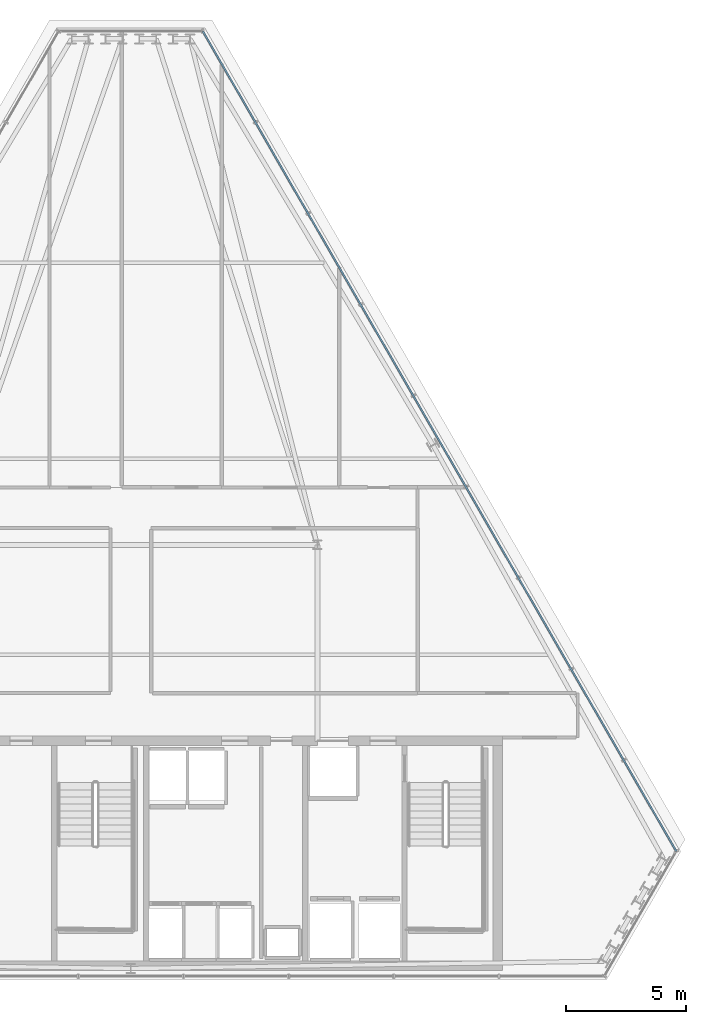
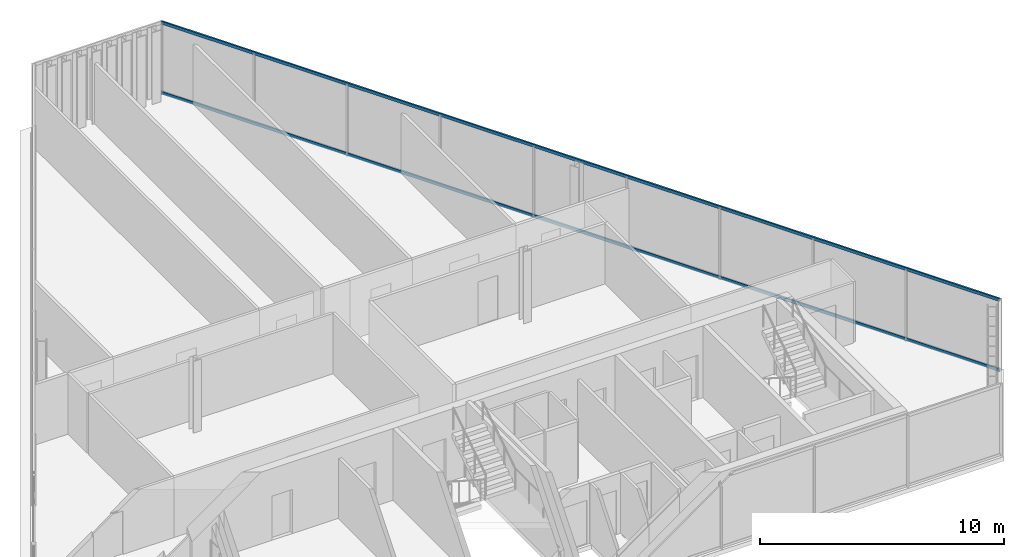
# One storey, part 23 of 32: 2 members, 1 element without a shape of its own.
"""IFC4 building model written with IfcOpenShell, lengths in metres."""

from ifc_helpers import new_model, si_unit, direction, frame, origin, origin_2d, place, context, subcontext, project, spatial, hollow_rectangle, extrude, material, layer, layer_set, material_profile, profile_set, type_object, element, aggregate, save


model = new_model("IFC4")

# Units and contexts
model_context = context("Model", 3, precision=1e-05, world=origin(), true_north=direction((0.0, 1.0)))
body_context = subcontext(model_context, "Body", "Model", "MODEL_VIEW")
ifc_project = project(units=[si_unit("LENGTHUNIT", "METRE"), si_unit("AREAUNIT", "SQUARE_METRE"), si_unit("VOLUMEUNIT", "CUBIC_METRE"), si_unit("PLANEANGLEUNIT", "RADIAN"), si_unit("MASSUNIT", "GRAM", prefix="KILO")], contexts=[model_context])

# Site, building, storey
site_placement = place(None, origin())
site = spatial("IfcSite", under=ifc_project, at=site_placement, CompositionType="ELEMENT")
building_placement = place(site_placement, origin())
building = spatial("IfcBuilding", under=site, at=building_placement, Name="Ndaravel Arena Tower", CompositionType="ELEMENT")
storey_placement = place(building_placement, frame((0.0, 0.0, 252.199951171875)))
storey = spatial("IfcBuildingStorey", under=building, at=storey_placement, Name="L61", CompositionType="ELEMENT", Elevation=252.199951171875)

# Curtain wall, members
ifc_material_1 = material(Name="Aluminium", Category="aluminium")
ifc_layer = layer(ifc_material_1, 0.179931640625)
ifc_layer_set = layer_set([ifc_layer], Name="Aluminium")
curtain_wall_type = type_object("IfcCurtainWallType", Name="CW-SYS-03", PredefinedType="NOTDEFINED", material=ifc_layer_set)
curtain_wall_placement = place(storey_placement, origin())
curtain_wall = element("IfcCurtainWall", 1, at=curtain_wall_placement, inside=storey, type_object=curtain_wall_type, Name="L61 Faceted Crystal Curtain Wall CW-L61-E03", PredefinedType="NOTDEFINED")
ifc_material_2 = material(Name="Aluminium", Category="aluminium")
ifc_material_profile = material_profile(ifc_material_2, hollow_rectangle(XDim=0.074951171875, YDim=0.14990234375, WallThickness=0.00390625, at=origin_2d()), Name="CW TRANSOM 75x150x4")
ifc_profile_set = profile_set([ifc_material_profile], Name="Aluminium")
member_type = type_object("IfcMemberType", Name="MEM-CW-TRN150", PredefinedType="USERDEFINED", material=ifc_profile_set)
member_1_placement = place(storey_placement, frame((64.816650390625, 10.3798828125, 0.0400390625), z_axis=(-0.500002234536, 0.866024113671, 0.0), x_axis=(-0.866024113671, -0.500002234536, 0.0)))
member_1 = element("IfcMember", 2, at=member_1_placement, type_object=member_type, Name="CW-L61-E03 Transom 01", ObjectType="TRANSOM", PredefinedType="USERDEFINED", context=body_context, shape_type="SweptSolid", body=[
    extrude(hollow_rectangle(XDim=0.074951171875, YDim=0.14990234375, WallThickness=0.00390625, at=origin_2d()), origin(), (0.0, 0.0, 1.0), 39.605712890625),
])
member_2_placement = place(storey_placement, frame((64.816650390625, 10.3798828125, 3.5400390625), z_axis=(-0.500002234536, 0.866024113671, 0.0), x_axis=(-0.866024113671, -0.500002234536, 0.0)))
member_2 = element("IfcMember", 3, at=member_2_placement, type_object=member_type, Name="CW-L61-E03 Transom 02", ObjectType="TRANSOM", PredefinedType="USERDEFINED", context=body_context, shape_type="SweptSolid", body=[
    extrude(hollow_rectangle(XDim=0.074951171875, YDim=0.14990234375, WallThickness=0.00390625, at=origin_2d()), origin(), (0.0, 0.0, 1.0), 39.605712890625),
])
aggregate(curtain_wall, [member_1, member_2])

save(model, "model.ifc")
